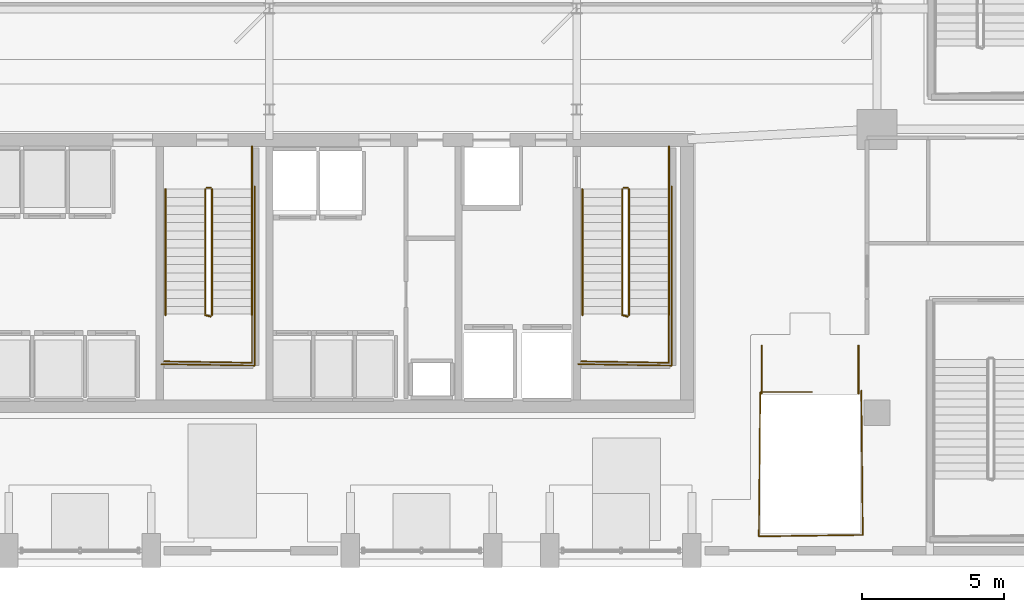
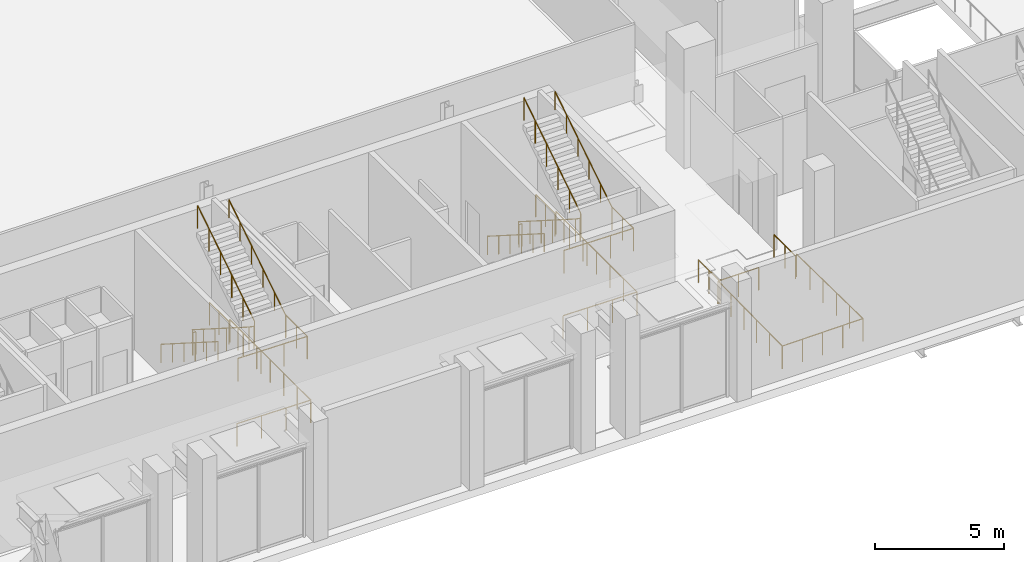
# One storey, part 29 of 36: 19 railings.
"""IFC4 building model written with IfcOpenShell, lengths in metres."""

from ifc_helpers import new_model, si_unit, direction, frame, origin, origin_2d, place, context, subcontext, project, spatial, circle, extrude, material, layer, layer_set, type_object, element, save


model = new_model("IFC4")

# Units and contexts
model_context = context("Model", 3, precision=1e-05, world=origin(), true_north=direction((0.0, 1.0)))
body_context = subcontext(model_context, "Body", "Model", "MODEL_VIEW")
ifc_project = project(units=[si_unit("LENGTHUNIT", "METRE"), si_unit("AREAUNIT", "SQUARE_METRE"), si_unit("VOLUMEUNIT", "CUBIC_METRE"), si_unit("PLANEANGLEUNIT", "RADIAN"), si_unit("MASSUNIT", "GRAM", prefix="KILO")], contexts=[model_context])

# Site, building, storey
site_placement = place(None, origin())
site = spatial("IfcSite", under=ifc_project, at=site_placement, CompositionType="ELEMENT")
building_placement = place(site_placement, origin())
building = spatial("IfcBuilding", under=site, at=building_placement, Name="Ndaravel Arena Tower", CompositionType="ELEMENT")
storey_placement = place(building_placement, origin())
storey = spatial("IfcBuildingStorey", under=building, at=storey_placement, Name="L00", CompositionType="ELEMENT", Elevation=0.0)

# Railings
ifc_material_1 = material(Name="Steel S355", Category="steel")
ifc_layer_1 = layer(ifc_material_1, 0.06005859375)
ifc_layer_set_1 = layer_set([ifc_layer_1], Name="Steel S355")
railing_type_1 = type_object("IfcRailingType", Name="RAIL-STAIR-GD1100", PredefinedType="GUARDRAIL", material=ifc_layer_set_1)
railing_1_placement = place(storey_placement, frame((40.39990234375, 13.25, 0.1875)))
element("IfcRailing", 1, at=railing_1_placement, inside=storey, type_object=railing_type_1, Name="L00 ST-2 stair guard 1", PredefinedType="GUARDRAIL", context=body_context, shape_type="SweptSolid", body=[
    extrude(circle(Radius=0.02392578125, at=origin_2d()), frame((0.0, 0.0, 1.076171875), z_axis=(0.0, -0.843958541447, 0.536408408136), x_axis=(1.0, 0.0, 0.0)), (0.0, 0.0, 1.0), 5.2431640625),
    extrude(circle(Radius=0.02392578125, at=origin_2d()), frame((0.0, -4.425048828125, 3.888671875), z_axis=(0.967074537263, -0.25449329928, 0.0), x_axis=(0.25449329928, 0.967074537263, 0.0)), (0.0, 0.0, 1.0), 0.19677734375),
    extrude(circle(Radius=0.02099609375, at=origin_2d()), origin(), (0.0, 0.0, 1.0), 1.052001953125),
    extrude(circle(Radius=0.02099609375, at=origin_2d()), frame((0.0, -0.885009765625, 0.5625)), (0.0, 0.0, 1.0), 1.052001953125),
    extrude(circle(Radius=0.02099609375, at=origin_2d()), frame((0.0, -1.77001953125, 1.125)), (0.0, 0.0, 1.0), 1.052001953125),
    extrude(circle(Radius=0.02099609375, at=origin_2d()), frame((0.0, -2.655029296875, 1.6875)), (0.0, 0.0, 1.0), 1.052001953125),
    extrude(circle(Radius=0.02099609375, at=origin_2d()), frame((0.0, -3.5400390625, 2.25)), (0.0, 0.0, 1.0), 1.052001953125),
    extrude(circle(Radius=0.02099609375, at=origin_2d()), frame((0.0, -4.425048828125, 2.8125)), (0.0, 0.0, 1.0), 1.052001953125),
    extrude(circle(Radius=0.02099609375, at=origin_2d()), frame((0.190185546875, -4.47509765625, 2.8125)), (0.0, 0.0, 1.0), 1.052001953125),
])
railing_2_placement = place(storey_placement, frame((42.0400390625, 8.824951171875, 3.0)))
element("IfcRailing", 2, at=railing_2_placement, inside=storey, type_object=railing_type_1, Name="L00 ST-2 stair guard 2", PredefinedType="GUARDRAIL", context=body_context, shape_type="SweptSolid", body=[
    extrude(circle(Radius=0.02392578125, at=origin_2d()), frame((0.0, 0.0, 1.076171875), z_axis=(0.0, -1.0, 0.0), x_axis=(1.0, 0.0, 0.0)), (0.0, 0.0, 1.0), 1.675048828125),
    extrude(circle(Radius=0.02392578125, at=origin_2d()), frame((0.0, -1.675048828125, 1.076171875), z_axis=(-0.999868861343, 0.016194447071, 0.0), x_axis=(-0.016194447071, -0.999868861343, 0.0)), (0.0, 0.0, 1.0), 3.090576171875),
    extrude(circle(Radius=0.02099609375, at=origin_2d()), origin(), (0.0, 0.0, 1.0), 1.052001953125),
    extrude(circle(Radius=0.02099609375, at=origin_2d()), frame((0.0, -0.83740234375, 0.0)), (0.0, 0.0, 1.0), 1.052001953125),
    extrude(circle(Radius=0.02099609375, at=origin_2d()), frame((0.0, -1.675048828125, 0.0)), (0.0, 0.0, 1.0), 1.052001953125),
    extrude(circle(Radius=0.02099609375, at=origin_2d()), frame((-1.030029296875, -1.658447265625, 0.0)), (0.0, 0.0, 1.0), 1.052001953125),
    extrude(circle(Radius=0.02099609375, at=origin_2d()), frame((-2.06005859375, -1.6416015625, 0.0)), (0.0, 0.0, 1.0), 1.052001953125),
    extrude(circle(Radius=0.02099609375, at=origin_2d()), frame((-3.090087890625, -1.625, 0.0)), (0.0, 0.0, 1.0), 1.052001953125),
])
railing_3_placement = place(storey_placement, frame((40.639892578125, 8.824951171875, 3.1875)))
element("IfcRailing", 3, at=railing_3_placement, inside=storey, type_object=railing_type_1, Name="L00 ST-2 stair guard 3", PredefinedType="GUARDRAIL", context=body_context, shape_type="SweptSolid", body=[
    extrude(circle(Radius=0.02392578125, at=origin_2d()), frame((0.0, 0.0, 1.076171875), z_axis=(0.0, 0.843958541447, 0.536408408136), x_axis=(-1.0, 0.0, 0.0)), (0.0, 0.0, 1.0), 5.2431640625),
    extrude(circle(Radius=0.02099609375, at=origin_2d()), origin(), (0.0, 0.0, 1.0), 1.052001953125),
    extrude(circle(Radius=0.02099609375, at=origin_2d()), frame((0.0, 0.885009765625, 0.5625)), (0.0, 0.0, 1.0), 1.052001953125),
    extrude(circle(Radius=0.02099609375, at=origin_2d()), frame((0.0, 1.77001953125, 1.125)), (0.0, 0.0, 1.0), 1.052001953125),
    extrude(circle(Radius=0.02099609375, at=origin_2d()), frame((0.0, 2.655029296875, 1.6875)), (0.0, 0.0, 1.0), 1.052001953125),
    extrude(circle(Radius=0.02099609375, at=origin_2d()), frame((0.0, 3.5400390625, 2.25)), (0.0, 0.0, 1.0), 1.052001953125),
    extrude(circle(Radius=0.02099609375, at=origin_2d()), frame((0.0, 4.425048828125, 2.8125)), (0.0, 0.0, 1.0), 1.052001953125),
])
railing_4_placement = place(storey_placement, frame((40.449951171875, 13.300048828125, 0.0)))
element("IfcRailing", 4, at=railing_4_placement, inside=storey, type_object=railing_type_1, Name="L00 ST-2 stair guard 4", PredefinedType="GUARDRAIL", context=body_context, shape_type="SweptSolid", body=[
    extrude(circle(Radius=0.02392578125, at=origin_2d()), frame((0.0, 0.0, 1.076171875), z_axis=(1.0, 0.0, 0.0), x_axis=(0.0, 1.0, 0.0)), (0.0, 0.0, 1.0), 0.14013671875),
    extrude(circle(Radius=0.02099609375, at=origin_2d()), origin(), (0.0, 0.0, 1.0), 1.052001953125),
    extrude(circle(Radius=0.02099609375, at=origin_2d()), frame((0.14013671875, 0.0, 0.0)), (0.0, 0.0, 1.0), 1.052001953125),
])
railing_5_placement = place(storey_placement, frame((42.0400390625, 14.75, 0.0)))
element("IfcRailing", 5, at=railing_5_placement, inside=storey, type_object=railing_type_1, Name="L00 ST-2 stair guard 5", PredefinedType="GUARDRAIL", context=body_context, shape_type="SweptSolid", body=[
    extrude(circle(Radius=0.02392578125, at=origin_2d()), frame((0.0, 0.0, 1.076171875), z_axis=(0.0, -1.0, 0.0), x_axis=(1.0, 0.0, 0.0)), (0.0, 0.0, 1.0), 1.5),
    extrude(circle(Radius=0.02099609375, at=origin_2d()), origin(), (0.0, 0.0, 1.0), 1.052001953125),
    extrude(circle(Radius=0.02099609375, at=origin_2d()), frame((0.0, -0.75, 0.0)), (0.0, 0.0, 1.0), 1.052001953125),
    extrude(circle(Radius=0.02099609375, at=origin_2d()), frame((0.0, -1.5, 0.0)), (0.0, 0.0, 1.0), 1.052001953125),
])
railing_6_placement = place(storey_placement, frame((42.139892578125, 13.35009765625, 0.0)))
element("IfcRailing", 6, at=railing_6_placement, inside=storey, type_object=railing_type_1, Name="L00 ST-2 stair guard 6", PredefinedType="GUARDRAIL", context=body_context, shape_type="SweptSolid", body=[
    extrude(circle(Radius=0.02392578125, at=origin_2d()), frame((0.0, 0.0, 1.076171875), z_axis=(0.0, -1.0, 0.0), x_axis=(1.0, 0.0, 0.0)), (0.0, 0.0, 1.0), 6.300048828125),
    extrude(circle(Radius=0.02392578125, at=origin_2d()), frame((0.0, -6.300048828125, 1.076171875), z_axis=(-0.999884296952, 0.015211597839, 0.0), x_axis=(-0.015211597839, -0.999884296952, 0.0)), (0.0, 0.0, 1.0), 3.290283203125),
    extrude(circle(Radius=0.02099609375, at=origin_2d()), origin(), (0.0, 0.0, 1.0), 1.052001953125),
    extrude(circle(Radius=0.02099609375, at=origin_2d()), frame((0.0, -1.050048828125, 0.0)), (0.0, 0.0, 1.0), 1.052001953125),
    extrude(circle(Radius=0.02099609375, at=origin_2d()), frame((0.0, -2.10009765625, 0.0)), (0.0, 0.0, 1.0), 1.052001953125),
    extrude(circle(Radius=0.02099609375, at=origin_2d()), frame((0.0, -3.14990234375, 0.0)), (0.0, 0.0, 1.0), 1.052001953125),
    extrude(circle(Radius=0.02099609375, at=origin_2d()), frame((0.0, -4.199951171875, 0.0)), (0.0, 0.0, 1.0), 1.052001953125),
    extrude(circle(Radius=0.02099609375, at=origin_2d()), frame((0.0, -5.25, 0.0)), (0.0, 0.0, 1.0), 1.052001953125),
    extrude(circle(Radius=0.02099609375, at=origin_2d()), frame((0.0, -6.300048828125, 0.0)), (0.0, 0.0, 1.0), 1.052001953125),
    extrude(circle(Radius=0.02099609375, at=origin_2d()), frame((-1.0966796875, -6.283447265625, 0.0)), (0.0, 0.0, 1.0), 1.052001953125),
    extrude(circle(Radius=0.02099609375, at=origin_2d()), frame((-2.193115234375, -6.2666015625, 0.0)), (0.0, 0.0, 1.0), 1.052001953125),
    extrude(circle(Radius=0.02099609375, at=origin_2d()), frame((-3.289794921875, -6.25, 0.0)), (0.0, 0.0, 1.0), 1.052001953125),
])
railing_7_placement = place(storey_placement, frame((55.050048828125, 13.25, 0.1875)))
element("IfcRailing", 7, at=railing_7_placement, inside=storey, type_object=railing_type_1, Name="L00 ST-3 stair guard 1", PredefinedType="GUARDRAIL", context=body_context, shape_type="SweptSolid", body=[
    extrude(circle(Radius=0.02392578125, at=origin_2d()), frame((0.0, 0.0, 1.076171875), z_axis=(0.0, -0.843958541447, 0.536408408136), x_axis=(1.0, 0.0, 0.0)), (0.0, 0.0, 1.0), 5.2431640625),
    extrude(circle(Radius=0.02392578125, at=origin_2d()), frame((0.0, -4.425048828125, 3.888671875), z_axis=(0.966993988697, -0.254799187253, 0.0), x_axis=(0.254799187253, 0.966993988697, 0.0)), (0.0, 0.0, 1.0), 0.196533203125),
    extrude(circle(Radius=0.02099609375, at=origin_2d()), origin(), (0.0, 0.0, 1.0), 1.052001953125),
    extrude(circle(Radius=0.02099609375, at=origin_2d()), frame((0.0, -0.885009765625, 0.5625)), (0.0, 0.0, 1.0), 1.052001953125),
    extrude(circle(Radius=0.02099609375, at=origin_2d()), frame((0.0, -1.77001953125, 1.125)), (0.0, 0.0, 1.0), 1.052001953125),
    extrude(circle(Radius=0.02099609375, at=origin_2d()), frame((0.0, -2.655029296875, 1.6875)), (0.0, 0.0, 1.0), 1.052001953125),
    extrude(circle(Radius=0.02099609375, at=origin_2d()), frame((0.0, -3.5400390625, 2.25)), (0.0, 0.0, 1.0), 1.052001953125),
    extrude(circle(Radius=0.02099609375, at=origin_2d()), frame((0.0, -4.425048828125, 2.8125)), (0.0, 0.0, 1.0), 1.052001953125),
    extrude(circle(Radius=0.02099609375, at=origin_2d()), frame((0.18994140625, -4.47509765625, 2.8125)), (0.0, 0.0, 1.0), 1.052001953125),
])
railing_8_placement = place(storey_placement, frame((56.68994140625, 8.824951171875, 3.0)))
element("IfcRailing", 8, at=railing_8_placement, inside=storey, type_object=railing_type_1, Name="L00 ST-3 stair guard 2", PredefinedType="GUARDRAIL", context=body_context, shape_type="SweptSolid", body=[
    extrude(circle(Radius=0.02392578125, at=origin_2d()), frame((0.0, 0.0, 1.076171875), z_axis=(0.0, -1.0, 0.0), x_axis=(1.0, 0.0, 0.0)), (0.0, 0.0, 1.0), 1.675048828125),
    extrude(circle(Radius=0.02392578125, at=origin_2d()), frame((0.0, -1.675048828125, 1.076171875), z_axis=(-0.999868840623, 0.016195726322, 0.0), x_axis=(-0.016195726322, -0.999868840623, 0.0)), (0.0, 0.0, 1.0), 3.09033203125),
    extrude(circle(Radius=0.02099609375, at=origin_2d()), origin(), (0.0, 0.0, 1.0), 1.052001953125),
    extrude(circle(Radius=0.02099609375, at=origin_2d()), frame((0.0, -0.83740234375, 0.0)), (0.0, 0.0, 1.0), 1.052001953125),
    extrude(circle(Radius=0.02099609375, at=origin_2d()), frame((0.0, -1.675048828125, 0.0)), (0.0, 0.0, 1.0), 1.052001953125),
    extrude(circle(Radius=0.02099609375, at=origin_2d()), frame((-1.030029296875, -1.658447265625, 0.0)), (0.0, 0.0, 1.0), 1.052001953125),
    extrude(circle(Radius=0.02099609375, at=origin_2d()), frame((-2.059814453125, -1.6416015625, 0.0)), (0.0, 0.0, 1.0), 1.052001953125),
    extrude(circle(Radius=0.02099609375, at=origin_2d()), frame((-3.08984375, -1.625, 0.0)), (0.0, 0.0, 1.0), 1.052001953125),
])
railing_9_placement = place(storey_placement, frame((55.2900390625, 8.824951171875, 3.1875)))
element("IfcRailing", 9, at=railing_9_placement, inside=storey, type_object=railing_type_1, Name="L00 ST-3 stair guard 3", PredefinedType="GUARDRAIL", context=body_context, shape_type="SweptSolid", body=[
    extrude(circle(Radius=0.02392578125, at=origin_2d()), frame((0.0, 0.0, 1.076171875), z_axis=(0.0, 0.843958541447, 0.536408408136), x_axis=(-1.0, 0.0, 0.0)), (0.0, 0.0, 1.0), 5.2431640625),
    extrude(circle(Radius=0.02099609375, at=origin_2d()), origin(), (0.0, 0.0, 1.0), 1.052001953125),
    extrude(circle(Radius=0.02099609375, at=origin_2d()), frame((0.0, 0.885009765625, 0.5625)), (0.0, 0.0, 1.0), 1.052001953125),
    extrude(circle(Radius=0.02099609375, at=origin_2d()), frame((0.0, 1.77001953125, 1.125)), (0.0, 0.0, 1.0), 1.052001953125),
    extrude(circle(Radius=0.02099609375, at=origin_2d()), frame((0.0, 2.655029296875, 1.6875)), (0.0, 0.0, 1.0), 1.052001953125),
    extrude(circle(Radius=0.02099609375, at=origin_2d()), frame((0.0, 3.5400390625, 2.25)), (0.0, 0.0, 1.0), 1.052001953125),
    extrude(circle(Radius=0.02099609375, at=origin_2d()), frame((0.0, 4.425048828125, 2.8125)), (0.0, 0.0, 1.0), 1.052001953125),
])
railing_10_placement = place(storey_placement, frame((55.10009765625, 13.300048828125, 0.0)))
element("IfcRailing", 10, at=railing_10_placement, inside=storey, type_object=railing_type_1, Name="L00 ST-3 stair guard 4", PredefinedType="GUARDRAIL", context=body_context, shape_type="SweptSolid", body=[
    extrude(circle(Radius=0.02392578125, at=origin_2d()), frame((0.0, 0.0, 1.076171875), z_axis=(1.0, 0.0, 0.0), x_axis=(0.0, 1.0, 0.0)), (0.0, 0.0, 1.0), 0.139892578125),
    extrude(circle(Radius=0.02099609375, at=origin_2d()), origin(), (0.0, 0.0, 1.0), 1.052001953125),
    extrude(circle(Radius=0.02099609375, at=origin_2d()), frame((0.139892578125, 0.0, 0.0)), (0.0, 0.0, 1.0), 1.052001953125),
])
railing_11_placement = place(storey_placement, frame((56.68994140625, 14.75, 0.0)))
element("IfcRailing", 11, at=railing_11_placement, inside=storey, type_object=railing_type_1, Name="L00 ST-3 stair guard 5", PredefinedType="GUARDRAIL", context=body_context, shape_type="SweptSolid", body=[
    extrude(circle(Radius=0.02392578125, at=origin_2d()), frame((0.0, 0.0, 1.076171875), z_axis=(0.0, -1.0, 0.0), x_axis=(1.0, 0.0, 0.0)), (0.0, 0.0, 1.0), 1.5),
    extrude(circle(Radius=0.02099609375, at=origin_2d()), origin(), (0.0, 0.0, 1.0), 1.052001953125),
    extrude(circle(Radius=0.02099609375, at=origin_2d()), frame((0.0, -0.75, 0.0)), (0.0, 0.0, 1.0), 1.052001953125),
    extrude(circle(Radius=0.02099609375, at=origin_2d()), frame((0.0, -1.5, 0.0)), (0.0, 0.0, 1.0), 1.052001953125),
])
railing_12_placement = place(storey_placement, frame((56.7900390625, 13.35009765625, 0.0)))
element("IfcRailing", 12, at=railing_12_placement, inside=storey, type_object=railing_type_1, Name="L00 ST-3 stair guard 6", PredefinedType="GUARDRAIL", context=body_context, shape_type="SweptSolid", body=[
    extrude(circle(Radius=0.02392578125, at=origin_2d()), frame((0.0, 0.0, 1.076171875), z_axis=(0.0, -1.0, 0.0), x_axis=(1.0, 0.0, 0.0)), (0.0, 0.0, 1.0), 6.300048828125),
    extrude(circle(Radius=0.02392578125, at=origin_2d()), frame((0.0, -6.300048828125, 1.076171875), z_axis=(-0.99988431412, 0.015210469308, 0.0), x_axis=(-0.015210469308, -0.99988431412, 0.0)), (0.0, 0.0, 1.0), 3.29052734375),
    extrude(circle(Radius=0.02099609375, at=origin_2d()), origin(), (0.0, 0.0, 1.0), 1.052001953125),
    extrude(circle(Radius=0.02099609375, at=origin_2d()), frame((0.0, -1.050048828125, 0.0)), (0.0, 0.0, 1.0), 1.052001953125),
    extrude(circle(Radius=0.02099609375, at=origin_2d()), frame((0.0, -2.10009765625, 0.0)), (0.0, 0.0, 1.0), 1.052001953125),
    extrude(circle(Radius=0.02099609375, at=origin_2d()), frame((0.0, -3.14990234375, 0.0)), (0.0, 0.0, 1.0), 1.052001953125),
    extrude(circle(Radius=0.02099609375, at=origin_2d()), frame((0.0, -4.199951171875, 0.0)), (0.0, 0.0, 1.0), 1.052001953125),
    extrude(circle(Radius=0.02099609375, at=origin_2d()), frame((0.0, -5.25, 0.0)), (0.0, 0.0, 1.0), 1.052001953125),
    extrude(circle(Radius=0.02099609375, at=origin_2d()), frame((0.0, -6.300048828125, 0.0)), (0.0, 0.0, 1.0), 1.052001953125),
    extrude(circle(Radius=0.02099609375, at=origin_2d()), frame((-1.0966796875, -6.283447265625, 0.0)), (0.0, 0.0, 1.0), 1.052001953125),
    extrude(circle(Radius=0.02099609375, at=origin_2d()), frame((-2.193359375, -6.2666015625, 0.0)), (0.0, 0.0, 1.0), 1.052001953125),
    extrude(circle(Radius=0.02099609375, at=origin_2d()), frame((-3.2900390625, -6.25, 0.0)), (0.0, 0.0, 1.0), 1.052001953125),
])
railing_13_placement = place(storey_placement, frame((63.449951171875, 6.169921875, 0.0)))
element("IfcRailing", 13, at=railing_13_placement, inside=storey, type_object=railing_type_1, Name="L00 ST-B2 top well guard 1", PredefinedType="GUARDRAIL", context=body_context, shape_type="SweptSolid", body=[
    extrude(circle(Radius=0.02392578125, at=origin_2d()), frame((0.0, 0.0, 1.076171875), z_axis=(0.009871425004, -0.999951276297, 0.0), x_axis=(0.999951276297, 0.009871425004, 0.0)), (0.0, 0.0, 1.0), 5.070068359375),
    extrude(circle(Radius=0.02392578125, at=origin_2d()), frame((0.050048828125, -5.06982421875, 1.076171875), z_axis=(-0.999905998648, -0.0137110856, 0.0), x_axis=(0.0137110856, -0.999905998648, 0.0)), (0.0, 0.0, 1.0), 3.650146484375),
    extrude(circle(Radius=0.02392578125, at=origin_2d()), frame((-3.599853515625, -5.119873046875, 1.076171875), z_axis=(0.009822803392, 0.999951755103, 0.0), x_axis=(-0.999951755103, 0.009822803392, 0.0)), (0.0, 0.0, 1.0), 5.0703125),
    extrude(circle(Radius=0.02392578125, at=origin_2d()), frame((-3.550048828125, -0.0498046875, 1.076171875), z_axis=(1.0, 0.0, 0.0), x_axis=(0.0, 1.0, 0.0)), (0.0, 0.0, 1.0), 1.820068359375),
    extrude(circle(Radius=0.02099609375, at=origin_2d()), origin(), (0.0, 0.0, 1.0), 1.052001953125),
    extrude(circle(Radius=0.02099609375, at=origin_2d()), frame((0.010009765625, -1.013916015625, 0.0)), (0.0, 0.0, 1.0), 1.052001953125),
    extrude(circle(Radius=0.02099609375, at=origin_2d()), frame((0.02001953125, -2.02783203125, 0.0)), (0.0, 0.0, 1.0), 1.052001953125),
    extrude(circle(Radius=0.02099609375, at=origin_2d()), frame((0.030029296875, -3.0419921875, 0.0)), (0.0, 0.0, 1.0), 1.052001953125),
    extrude(circle(Radius=0.02099609375, at=origin_2d()), frame((0.0400390625, -4.055908203125, 0.0)), (0.0, 0.0, 1.0), 1.052001953125),
    extrude(circle(Radius=0.02099609375, at=origin_2d()), frame((0.050048828125, -5.06982421875, 0.0)), (0.0, 0.0, 1.0), 1.052001953125),
    extrude(circle(Radius=0.02099609375, at=origin_2d()), frame((-0.8623046875, -5.082275390625, 0.0)), (0.0, 0.0, 1.0), 1.052001953125),
    extrude(circle(Radius=0.02099609375, at=origin_2d()), frame((-1.77490234375, -5.0947265625, 0.0)), (0.0, 0.0, 1.0), 1.052001953125),
    extrude(circle(Radius=0.02099609375, at=origin_2d()), frame((-2.6875, -5.107421875, 0.0)), (0.0, 0.0, 1.0), 1.052001953125),
    extrude(circle(Radius=0.02099609375, at=origin_2d()), frame((-3.599853515625, -5.119873046875, 0.0)), (0.0, 0.0, 1.0), 1.052001953125),
    extrude(circle(Radius=0.02099609375, at=origin_2d()), frame((-3.58984375, -4.10595703125, 0.0)), (0.0, 0.0, 1.0), 1.052001953125),
    extrude(circle(Radius=0.02099609375, at=origin_2d()), frame((-3.579833984375, -3.091796875, 0.0)), (0.0, 0.0, 1.0), 1.052001953125),
    extrude(circle(Radius=0.02099609375, at=origin_2d()), frame((-3.570068359375, -2.077880859375, 0.0)), (0.0, 0.0, 1.0), 1.052001953125),
    extrude(circle(Radius=0.02099609375, at=origin_2d()), frame((-3.56005859375, -1.063720703125, 0.0)), (0.0, 0.0, 1.0), 1.052001953125),
    extrude(circle(Radius=0.02099609375, at=origin_2d()), frame((-3.550048828125, -0.0498046875, 0.0)), (0.0, 0.0, 1.0), 1.052001953125),
    extrude(circle(Radius=0.02099609375, at=origin_2d()), frame((-2.64013671875, -0.0498046875, 0.0)), (0.0, 0.0, 1.0), 1.052001953125),
    extrude(circle(Radius=0.02099609375, at=origin_2d()), frame((-1.72998046875, -0.0498046875, 0.0)), (0.0, 0.0, 1.0), 1.052001953125),
])
for number, where, name in (
    (14, (59.949951171875, 7.75, 0.0), "L00 ST-B2 top well guard 2"),
    (15, (63.35009765625, 7.75, 0.0), "L00 ST-B2 top well guard 3"),
):
    element("IfcRailing", number, at=place(storey_placement, frame(where)), inside=storey, type_object=railing_type_1, Name=name, PredefinedType="GUARDRAIL", context=body_context, shape_type="SweptSolid", body=[
        extrude(circle(Radius=0.02392578125, at=origin_2d()), frame((0.0, 0.0, 1.076171875), z_axis=(0.0, -1.0, 0.0), x_axis=(1.0, 0.0, 0.0)), (0.0, 0.0, 1.0), 1.679931640625),
        extrude(circle(Radius=0.02099609375, at=origin_2d()), origin(), (0.0, 0.0, 1.0), 1.052001953125),
        extrude(circle(Radius=0.02099609375, at=origin_2d()), frame((0.0, -0.83984375, 0.0)), (0.0, 0.0, 1.0), 1.052001953125),
        extrude(circle(Radius=0.02099609375, at=origin_2d()), frame((0.0, -1.679931640625, 0.0)), (0.0, 0.0, 1.0), 1.052001953125),
    ])
ifc_material_2 = material(Name="Steel S355", Category="steel")
ifc_layer_2 = layer(ifc_material_2, 0.050048828125)
ifc_layer_set_2 = layer_set([ifc_layer_2], Name="Steel S355")
railing_type_2 = type_object("IfcRailingType", Name="RAIL-STAIR-HR920", PredefinedType="HANDRAIL", material=ifc_layer_set_2)
railing_14_placement = place(storey_placement, frame((39.0, 13.25, 0.1875)))
element("IfcRailing", 16, at=railing_14_placement, inside=storey, type_object=railing_type_2, Name="L00 ST-2 stair handrail 1", PredefinedType="HANDRAIL", context=body_context, shape_type="SweptSolid", body=[
    extrude(circle(Radius=0.02392578125, at=origin_2d()), frame((0.0, 0.0, 0.8759765625), z_axis=(0.0, -0.843958541447, 0.536408408136), x_axis=(1.0, 0.0, 0.0)), (0.0, 0.0, 1.0), 5.2431640625),
    extrude(circle(Radius=0.02099609375, at=origin_2d()), origin(), (0.0, 0.0, 1.0), 0.851806640625),
    extrude(circle(Radius=0.02099609375, at=origin_2d()), frame((0.0, -0.885009765625, 0.5625)), (0.0, 0.0, 1.0), 0.851806640625),
    extrude(circle(Radius=0.02099609375, at=origin_2d()), frame((0.0, -1.77001953125, 1.125)), (0.0, 0.0, 1.0), 0.851806640625),
    extrude(circle(Radius=0.02099609375, at=origin_2d()), frame((0.0, -2.655029296875, 1.6875)), (0.0, 0.0, 1.0), 0.851806640625),
    extrude(circle(Radius=0.02099609375, at=origin_2d()), frame((0.0, -3.5400390625, 2.25)), (0.0, 0.0, 1.0), 0.851806640625),
    extrude(circle(Radius=0.02099609375, at=origin_2d()), frame((0.0, -4.425048828125, 2.8125)), (0.0, 0.0, 1.0), 0.851806640625),
])
railing_15_placement = place(storey_placement, frame((42.0400390625, 8.824951171875, 3.1875)))
element("IfcRailing", 17, at=railing_15_placement, inside=storey, type_object=railing_type_2, Name="L00 ST-2 stair handrail 2", PredefinedType="HANDRAIL", context=body_context, shape_type="SweptSolid", body=[
    extrude(circle(Radius=0.02392578125, at=origin_2d()), frame((0.0, 0.0, 0.8759765625), z_axis=(0.0, 0.843958541447, 0.536408408136), x_axis=(-1.0, 0.0, 0.0)), (0.0, 0.0, 1.0), 5.2431640625),
    extrude(circle(Radius=0.02099609375, at=origin_2d()), origin(), (0.0, 0.0, 1.0), 0.851806640625),
    extrude(circle(Radius=0.02099609375, at=origin_2d()), frame((0.0, 0.885009765625, 0.5625)), (0.0, 0.0, 1.0), 0.851806640625),
    extrude(circle(Radius=0.02099609375, at=origin_2d()), frame((0.0, 1.77001953125, 1.125)), (0.0, 0.0, 1.0), 0.851806640625),
    extrude(circle(Radius=0.02099609375, at=origin_2d()), frame((0.0, 2.655029296875, 1.6875)), (0.0, 0.0, 1.0), 0.851806640625),
    extrude(circle(Radius=0.02099609375, at=origin_2d()), frame((0.0, 3.5400390625, 2.25)), (0.0, 0.0, 1.0), 0.851806640625),
    extrude(circle(Radius=0.02099609375, at=origin_2d()), frame((0.0, 4.425048828125, 2.8125)), (0.0, 0.0, 1.0), 0.851806640625),
])
railing_16_placement = place(storey_placement, frame((53.64990234375, 13.25, 0.1875)))
element("IfcRailing", 18, at=railing_16_placement, inside=storey, type_object=railing_type_2, Name="L00 ST-3 stair handrail 1", PredefinedType="HANDRAIL", context=body_context, shape_type="SweptSolid", body=[
    extrude(circle(Radius=0.02392578125, at=origin_2d()), frame((0.0, 0.0, 0.8759765625), z_axis=(0.0, -0.843958541447, 0.536408408136), x_axis=(1.0, 0.0, 0.0)), (0.0, 0.0, 1.0), 5.2431640625),
    extrude(circle(Radius=0.02099609375, at=origin_2d()), origin(), (0.0, 0.0, 1.0), 0.851806640625),
    extrude(circle(Radius=0.02099609375, at=origin_2d()), frame((0.0, -0.885009765625, 0.5625)), (0.0, 0.0, 1.0), 0.851806640625),
    extrude(circle(Radius=0.02099609375, at=origin_2d()), frame((0.0, -1.77001953125, 1.125)), (0.0, 0.0, 1.0), 0.851806640625),
    extrude(circle(Radius=0.02099609375, at=origin_2d()), frame((0.0, -2.655029296875, 1.6875)), (0.0, 0.0, 1.0), 0.851806640625),
    extrude(circle(Radius=0.02099609375, at=origin_2d()), frame((0.0, -3.5400390625, 2.25)), (0.0, 0.0, 1.0), 0.851806640625),
    extrude(circle(Radius=0.02099609375, at=origin_2d()), frame((0.0, -4.425048828125, 2.8125)), (0.0, 0.0, 1.0), 0.851806640625),
])
railing_17_placement = place(storey_placement, frame((56.68994140625, 8.824951171875, 3.1875)))
element("IfcRailing", 19, at=railing_17_placement, inside=storey, type_object=railing_type_2, Name="L00 ST-3 stair handrail 2", PredefinedType="HANDRAIL", context=body_context, shape_type="SweptSolid", body=[
    extrude(circle(Radius=0.02392578125, at=origin_2d()), frame((0.0, 0.0, 0.8759765625), z_axis=(0.0, 0.843958541447, 0.536408408136), x_axis=(-1.0, 0.0, 0.0)), (0.0, 0.0, 1.0), 5.2431640625),
    extrude(circle(Radius=0.02099609375, at=origin_2d()), origin(), (0.0, 0.0, 1.0), 0.851806640625),
    extrude(circle(Radius=0.02099609375, at=origin_2d()), frame((0.0, 0.885009765625, 0.5625)), (0.0, 0.0, 1.0), 0.851806640625),
    extrude(circle(Radius=0.02099609375, at=origin_2d()), frame((0.0, 1.77001953125, 1.125)), (0.0, 0.0, 1.0), 0.851806640625),
    extrude(circle(Radius=0.02099609375, at=origin_2d()), frame((0.0, 2.655029296875, 1.6875)), (0.0, 0.0, 1.0), 0.851806640625),
    extrude(circle(Radius=0.02099609375, at=origin_2d()), frame((0.0, 3.5400390625, 2.25)), (0.0, 0.0, 1.0), 0.851806640625),
    extrude(circle(Radius=0.02099609375, at=origin_2d()), frame((0.0, 4.425048828125, 2.8125)), (0.0, 0.0, 1.0), 0.851806640625),
])

save(model, "model.ifc")
